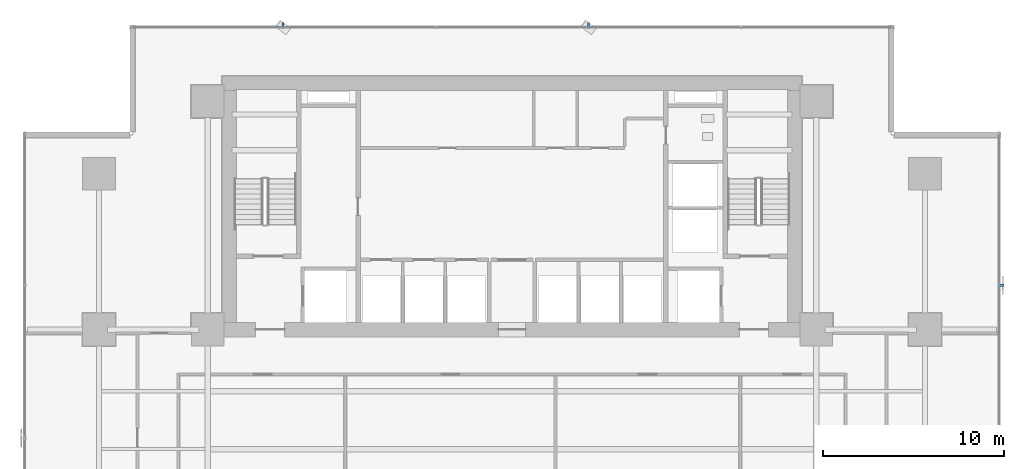
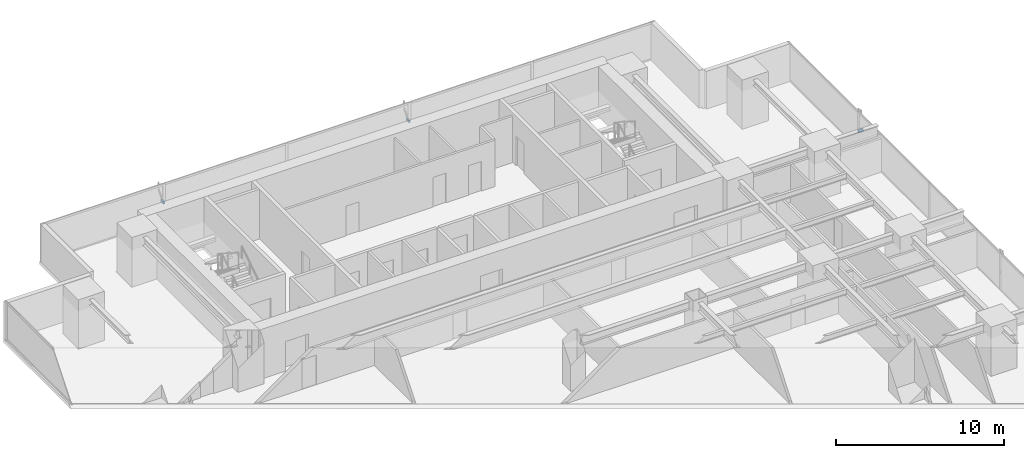
# One storey, part 27 of 32: 3 discrete accessories.
"""IFC4 building model written with IfcOpenShell, lengths in metres."""

from ifc_helpers import new_model, si_unit, direction, frame, origin, origin_2d, place, context, subcontext, project, spatial, rectangle, extrude, source, transform, mapped, material, material_profile, profile_set, type_object, element, save


model = new_model("IFC4")

# Units and contexts
model_context = context("Model", 3, precision=1e-05, world=origin(), true_north=direction((0.0, 1.0)))
body_context = subcontext(model_context, "Body", "Model", "MODEL_VIEW")
ifc_project = project(units=[si_unit("LENGTHUNIT", "METRE"), si_unit("AREAUNIT", "SQUARE_METRE"), si_unit("VOLUMEUNIT", "CUBIC_METRE"), si_unit("PLANEANGLEUNIT", "RADIAN"), si_unit("MASSUNIT", "GRAM", prefix="KILO")], contexts=[model_context])

# Site, building, storey
site_placement = place(None, origin())
site = spatial("IfcSite", under=ifc_project, at=site_placement, CompositionType="ELEMENT")
building_placement = place(site_placement, origin())
building = spatial("IfcBuilding", under=site, at=building_placement, Name="Sumidabori Civic Tower", CompositionType="ELEMENT")
storey_placement = place(building_placement, frame((0.0, 0.0, 48.800048828125)))
storey = spatial("IfcBuildingStorey", under=building, at=storey_placement, Name="L12", CompositionType="ELEMENT", Elevation=48.800048828125)

# Discrete accessories
ifc_material = material(Name="Stainless Steel Hairline Finish", Category="steel")
ifc_material_profile = material_profile(ifc_material, rectangle(XDim=0.1201171875, YDim=0.179931640625, at=origin_2d()), Name="STEEL BRACKET 180x120")
ifc_profile_set = profile_set([ifc_material_profile], Name="Stainless Steel Hairline Finish")
discrete_accessory_type = type_object("IfcDiscreteAccessoryType", Name="AC-BRK-180", PredefinedType="BRACKET", material=ifc_profile_set)
shared_shape = source(origin(), body_context, "Body", "SweptSolid", [
    extrude(rectangle(XDim=0.1201171875, YDim=0.179931640625, at=origin_2d()), origin(), (0.0, 0.0, 1.0), 0.329833984375),
])
for number, where, z_axis, x_axis, name in (
    (1, (26.830078125, 12.64208984375, 1.35986328125), (1.0, 0.0, 0.0), (0.0, 1.0, 0.0), "Bronze Fin Fixing Bracket L12-04"),
    (2, (4.214111328125, 26.830078125, 1.35986328125), (0.0, 1.0, 0.0), (-1.0, 0.0, 0.0), "Bronze Fin Fixing Bracket L12-02"),
    (3, (-12.64208984375, 26.830078125, 1.35986328125), (0.0, 1.0, 0.0), (-1.0, 0.0, 0.0), "Bronze Fin Fixing Bracket L12-04"),
):
    element("IfcDiscreteAccessory", number, at=place(storey_placement, frame(where, z_axis=z_axis, x_axis=x_axis)), inside=storey, type_object=discrete_accessory_type, Name=name, PredefinedType="BRACKET", context=body_context, shape_type="MappedRepresentation", body=[
        mapped(shared_shape, transform((0.0, 0.0, 0.0), x_axis=(1.0, 0.0, 0.0), y_axis=(0.0, 1.0, 0.0), z_axis=(0.0, 0.0, 1.0), scale=1.0)),
    ])

save(model, "model.ifc")
